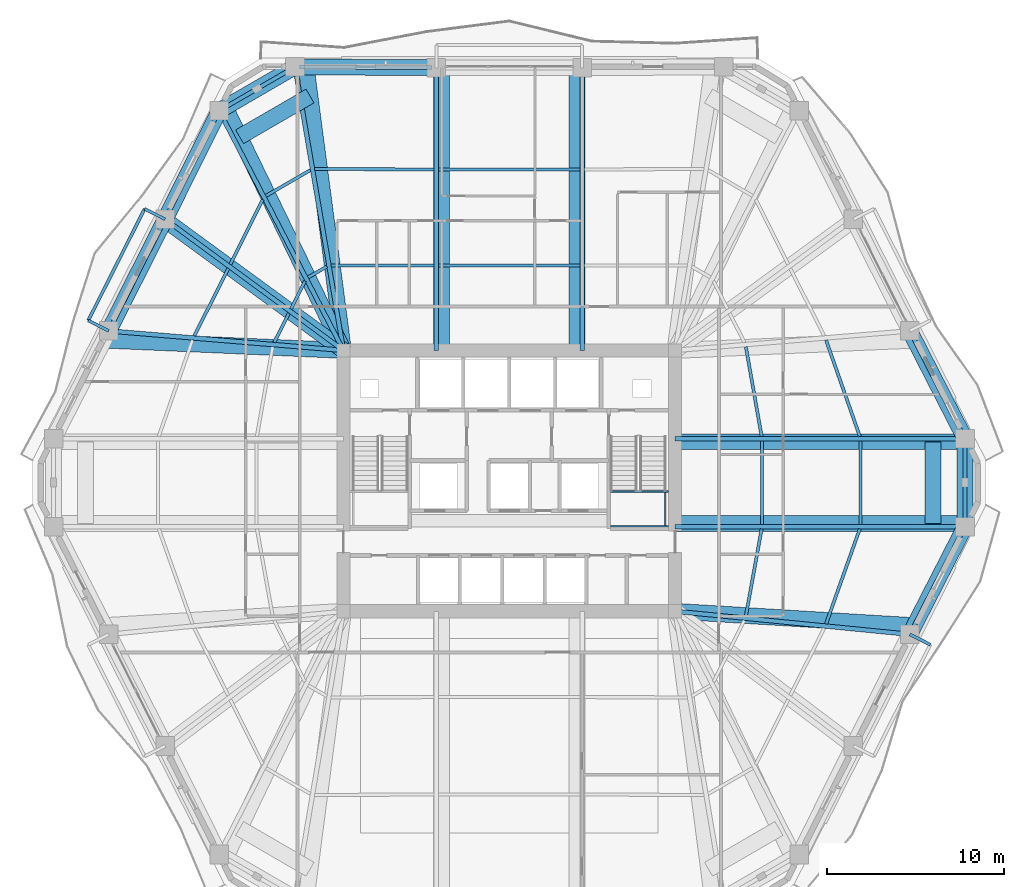
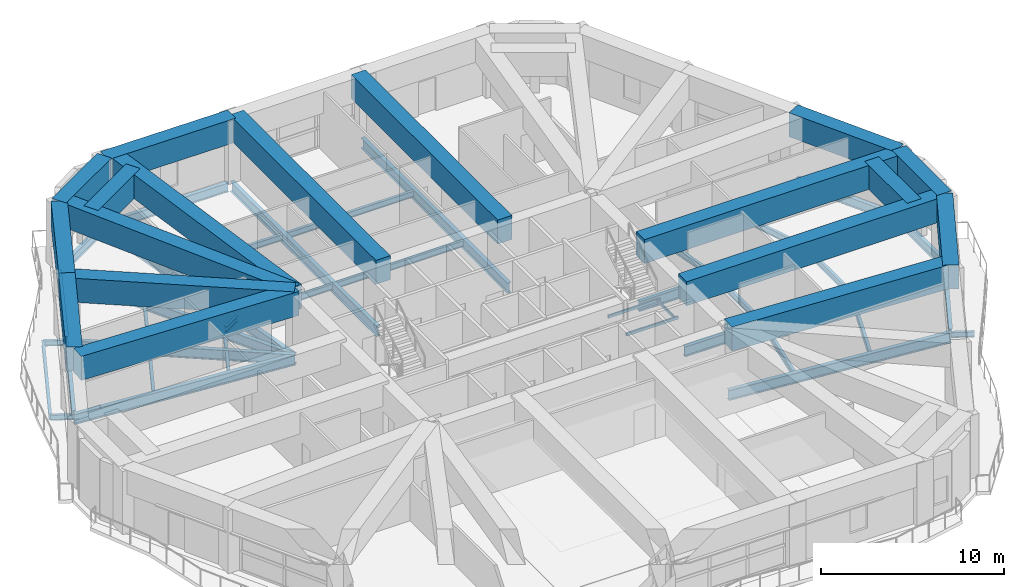
# One storey, part 7 of 23: 57 beams.
"""IFC4 building model written with IfcOpenShell, lengths in metres."""

from ifc_helpers import new_model, si_unit, direction, frame, origin, origin_2d, place, context, subcontext, project, spatial, rectangle, hollow_rectangle, i_section, extrude, material, material_profile, profile_set, type_object, element, save


model = new_model("IFC4")

# Units and contexts
model_context = context("Model", 3, precision=1e-05, world=origin(), true_north=direction((0.0, 1.0)))
body_context = subcontext(model_context, "Body", "Model", "MODEL_VIEW")
ifc_project = project(units=[si_unit("LENGTHUNIT", "METRE"), si_unit("AREAUNIT", "SQUARE_METRE"), si_unit("VOLUMEUNIT", "CUBIC_METRE"), si_unit("PLANEANGLEUNIT", "RADIAN"), si_unit("MASSUNIT", "GRAM", prefix="KILO")], contexts=[model_context])

# Site, building, storey
site_placement = place(None, origin())
site = spatial("IfcSite", under=ifc_project, at=site_placement, CompositionType="ELEMENT")
building_placement = place(site_placement, origin())
building = spatial("IfcBuilding", under=site, at=building_placement, Name="Cinnabar Lancet Tower", CompositionType="ELEMENT")
storey_placement = place(building_placement, frame((0.0, 0.0, 94.199951171875)))
storey = spatial("IfcBuildingStorey", under=building, at=storey_placement, Name="L24", CompositionType="ELEMENT", Elevation=94.199951171875)

# Beams
ifc_material_1 = material(Name="Concrete C70/85", Category="concrete")
ifc_material_profile_1 = material_profile(ifc_material_1, rectangle(XDim=0.89990234375, YDim=1.60009765625, at=origin_2d()), Name="RC-BG 900x1600")
ifc_profile_set_1 = profile_set([ifc_material_profile_1], Name="Concrete C70/85")
beam_type_1 = type_object("IfcBeamType", Name="STR-BM-BG-1600", PredefinedType="BEAM", material=ifc_profile_set_1)
beam_1_placement = place(storey_placement, frame((55.0458984375, 17.219970703125, 3.400146484375), z_axis=(0.455963359839, 0.889998547462, 0.0), x_axis=(-0.889998547462, 0.455963359839, 0.0)))
element("IfcBeam", 1, at=beam_1_placement, inside=storey, type_object=beam_type_1, Name="L25 Setback Outer Ring Girder 7", PredefinedType="BEAM", context=body_context, shape_type="SweptSolid", body=[
    extrude(rectangle(XDim=0.89990234375, YDim=1.60009765625, at=origin_2d()), origin(), (0.0, 0.0, 1.0), 6.84716796875),
])
beam_2_placement = place(storey_placement, frame((58.16796875, 23.31396484375, 3.400146484375), z_axis=(0.0, 1.0, 0.0), x_axis=(-1.0, 0.0, 0.0)))
element("IfcBeam", 2, at=beam_2_placement, inside=storey, type_object=beam_type_1, Name="L25 Setback Outer Ring Girder 8", PredefinedType="BEAM", context=body_context, shape_type="SweptSolid", body=[
    extrude(rectangle(XDim=0.89990234375, YDim=1.60009765625, at=origin_2d()), origin(), (0.0, 0.0, 1.0), 4.971923828125),
])
beam_3_placement = place(storey_placement, frame((58.16796875, 28.285888671875, 3.400146484375), z_axis=(-0.455963359839, 0.889998547462, 0.0), x_axis=(-0.889998547462, -0.455963359839, 0.0)))
element("IfcBeam", 3, at=beam_3_placement, inside=storey, type_object=beam_type_1, Name="L25 Setback Outer Ring Girder 9", PredefinedType="BEAM", context=body_context, shape_type="SweptSolid", body=[
    extrude(rectangle(XDim=0.89990234375, YDim=1.60009765625, at=origin_2d()), origin(), (0.0, 0.0, 1.0), 6.84716796875),
])
beam_4_placement = place(storey_placement, frame((28.278076171875, 49.258056640625, 3.400146484375), z_axis=(-0.999978046407, 0.006626213389, 0.0), x_axis=(-0.006626213389, -0.999978046407, 0.0)))
element("IfcBeam", 4, at=beam_4_placement, inside=storey, type_object=beam_type_1, Name="L25 Setback Outer Ring Girder 15", PredefinedType="BEAM", context=body_context, shape_type="SweptSolid", body=[
    extrude(rectangle(XDim=0.89990234375, YDim=1.60009765625, at=origin_2d()), origin(), (0.0, 0.0, 1.0), 7.995361328125),
])
beam_5_placement = place(storey_placement, frame((20.282958984375, 49.31103515625, 3.400146484375), z_axis=(-0.865178737992, -0.501463609175, 0.0), x_axis=(0.501463609175, -0.865178737992, 0.0)))
element("IfcBeam", 5, at=beam_5_placement, inside=storey, type_object=beam_type_1, Name="L25 Setback Outer Ring Girder 16", PredefinedType="BEAM", context=body_context, shape_type="SweptSolid", body=[
    extrude(rectangle(XDim=0.89990234375, YDim=1.60009765625, at=origin_2d()), origin(), (0.0, 0.0, 1.0), 4.953857421875),
])
beam_6_placement = place(storey_placement, frame((15.9970703125, 46.826904296875, 3.400146484375), z_axis=(-0.445831191634, -0.895117058583, 0.0), x_axis=(0.895117058583, -0.445831191634, 0.0)))
element("IfcBeam", 6, at=beam_6_placement, inside=storey, type_object=beam_type_1, Name="L25 Setback Outer Ring Girder 17", PredefinedType="BEAM", context=body_context, shape_type="SweptSolid", body=[
    extrude(rectangle(XDim=0.89990234375, YDim=1.60009765625, at=origin_2d()), origin(), (0.0, 0.0, 1.0), 6.85498046875),
])
beam_7_placement = place(storey_placement, frame((12.94091796875, 40.69091796875, 3.400146484375), z_axis=(-0.450773692627, -0.892638268301, 0.0), x_axis=(0.892638268301, -0.450773692627, 0.0)))
element("IfcBeam", 7, at=beam_7_placement, inside=storey, type_object=beam_type_1, Name="L25 Setback Outer Ring Girder 18", PredefinedType="BEAM", context=body_context, shape_type="SweptSolid", body=[
    extrude(rectangle(XDim=0.89990234375, YDim=1.60009765625, at=origin_2d()), origin(), (0.0, 0.0, 1.0), 7.070068359375),
])
beam_8_placement = place(storey_placement, frame((55.14404296875, 17.721923828125, 3.400146484375), z_axis=(-0.998201138249, 0.059954045721, 0.0), x_axis=(-0.059954045721, -0.998201138249, 0.0)))
element("IfcBeam", 8, at=beam_8_placement, inside=storey, type_object=beam_type_1, Name="L25 Setback Continuous Radial Transfer Girder 7", PredefinedType="BEAM", context=body_context, shape_type="SweptSolid", body=[
    extrude(rectangle(XDim=0.89990234375, YDim=1.60009765625, at=origin_2d()), origin(), (0.0, 0.0, 1.0), 13.393310546875),
])
for number, where, z_axis, x_axis, name in (
    (9, (58.049072265625, 23.490966796875, 3.400146484375), (-1.0, 0.0, 0.0), (0.0, -1.0, 0.0), "L25 Setback Continuous Radial Transfer Girder 8"),
    (10, (58.049072265625, 28.10888671875, 3.400146484375), (-1.0, 0.0, 0.0), (0.0, -1.0, 0.0), "L25 Setback Continuous Radial Transfer Girder 9"),
):
    element("IfcBeam", number, at=place(storey_placement, frame(where, z_axis=z_axis, x_axis=x_axis)), inside=storey, type_object=beam_type_1, Name=name, PredefinedType="BEAM", context=body_context, shape_type="SweptSolid", body=[
        extrude(rectangle(XDim=0.89990234375, YDim=1.60009765625, at=origin_2d()), origin(), (0.0, 0.0, 1.0), 16.274169921875),
    ])
for number, where, z_axis, x_axis, name in (
    (11, (36.23193359375, 49.258056640625, 3.400146484375), (0.0, -1.0, 0.0), (1.0, 0.0, 0.0), "L25 Setback Continuous Radial Transfer Girder 14"),
    (12, (28.568115234375, 49.258056640625, 3.400146484375), (0.0, -1.0, 0.0), (1.0, 0.0, 0.0), "L25 Setback Continuous Radial Transfer Girder 15"),
):
    element("IfcBeam", number, at=place(storey_placement, frame(where, z_axis=z_axis, x_axis=x_axis)), inside=storey, type_object=beam_type_1, Name=name, PredefinedType="BEAM", context=body_context, shape_type="SweptSolid", body=[
        extrude(rectangle(XDim=0.89990234375, YDim=1.60009765625, at=origin_2d()), origin(), (0.0, 0.0, 1.0), 15.983154296875),
    ])
beam_9_placement = place(storey_placement, frame((20.916015625, 49.291015625, 3.400146484375), z_axis=(0.130545992405, -0.991442254429, 0.0), x_axis=(0.991442254429, 0.130545992405, 0.0)))
element("IfcBeam", 13, at=beam_9_placement, inside=storey, type_object=beam_type_1, Name="L25 Setback Continuous Radial Transfer Girder 16", PredefinedType="BEAM", context=body_context, shape_type="SweptSolid", body=[
    extrude(rectangle(XDim=0.89990234375, YDim=1.60009765625, at=origin_2d()), origin(), (0.0, 0.0, 1.0), 16.154296875),
])
beam_10_placement = place(storey_placement, frame((16.412109375, 46.873046875, 3.400146484375), z_axis=(0.437330919042, -0.899300654537, 0.0), x_axis=(0.899300654537, 0.437330919042, 0.0)))
element("IfcBeam", 14, at=beam_10_placement, inside=storey, type_object=beam_type_1, Name="L25 Setback Continuous Radial Transfer Girder 17", PredefinedType="BEAM", context=body_context, shape_type="SweptSolid", body=[
    extrude(rectangle(XDim=0.89990234375, YDim=1.60009765625, at=origin_2d()), origin(), (0.0, 0.0, 1.0), 15.120849609375),
])
beam_11_placement = place(storey_placement, frame((12.943115234375, 40.64501953125, 3.400146484375), z_axis=(0.807289744124, -0.590155292302, 0.0), x_axis=(0.590155292302, 0.807289744124, 0.0)))
element("IfcBeam", 15, at=beam_11_placement, inside=storey, type_object=beam_type_1, Name="L25 Setback Continuous Radial Transfer Girder 18", PredefinedType="BEAM", context=body_context, shape_type="SweptSolid", body=[
    extrude(rectangle(XDim=0.89990234375, YDim=1.60009765625, at=origin_2d()), origin(), (0.0, 0.0, 1.0), 12.488525390625),
])
beam_12_placement = place(storey_placement, frame((9.655029296875, 33.84912109375, 3.400146484375), z_axis=(0.999078978302, -0.042909149553, 0.0), x_axis=(0.042909149553, 0.999078978302, 0.0)))
element("IfcBeam", 16, at=beam_12_placement, inside=storey, type_object=beam_type_1, Name="L25 Setback Continuous Radial Transfer Girder 19", PredefinedType="BEAM", context=body_context, shape_type="SweptSolid", body=[
    extrude(rectangle(XDim=0.89990234375, YDim=1.60009765625, at=origin_2d()), origin(), (0.0, 0.0, 1.0), 13.382080078125),
])
beam_13_placement = place(storey_placement, frame((56.35693359375, 23.490966796875, 3.400146484375), z_axis=(0.0, 1.0, 0.0), x_axis=(-1.0, 0.0, 0.0)))
element("IfcBeam", 17, at=beam_13_placement, inside=storey, type_object=beam_type_1, Name="L25 Setback Pilaster Transfer Chord 3", PredefinedType="BEAM", context=body_context, shape_type="SweptSolid", body=[
    extrude(rectangle(XDim=0.89990234375, YDim=1.60009765625, at=origin_2d()), origin(), (0.0, 0.0, 1.0), 4.617919921875),
])
beam_14_placement = place(storey_placement, frame((21.131103515625, 47.660888671875, 3.400146484375), z_axis=(-0.865186384258, -0.501450416786, 0.0), x_axis=(0.501450416786, -0.865186384258, 0.0)))
element("IfcBeam", 18, at=beam_14_placement, inside=storey, type_object=beam_type_1, Name="L25 Setback Pilaster Transfer Chord 5", PredefinedType="BEAM", context=body_context, shape_type="SweptSolid", body=[
    extrude(rectangle(XDim=0.89990234375, YDim=1.60009765625, at=origin_2d()), origin(), (0.0, 0.0, 1.0), 4.600341796875),
])
ifc_material_2 = material(Name="Structural steel S355", Category="steel")
ifc_material_profile_2 = material_profile(ifc_material_2, i_section(OverallWidth=0.177978515625, OverallDepth=0.406494140625, WebThickness=0.0078125, FlangeThickness=0.0126953125, FilletRadius=0.01025390625, at=origin_2d()), Name="UKB 406x178x60")
ifc_profile_set_2 = profile_set([ifc_material_profile_2], Name="Structural steel S355")
beam_type_2 = type_object("IfcBeamType", Name="STR-BM-JST-406", PredefinedType="JOIST", material=ifc_profile_set_2)
beam_15_placement = place(storey_placement, frame((50.31201171875, 17.81298828125, -0.4228515625), z_axis=(0.334725039774, 0.942315842883, 0.0), x_axis=(-0.942315842883, 0.334725039774, 0.0)))
element("IfcBeam", 19, at=beam_15_placement, inside=storey, type_object=beam_type_2, Name="L24 Secondary Floor Joist 21", PredefinedType="JOIST", context=body_context, shape_type="SweptSolid", body=[
    extrude(i_section(OverallWidth=0.177978515625, OverallDepth=0.406494140625, WebThickness=0.0078125, FlangeThickness=0.0126953125, FilletRadius=0.01025390625, at=origin_2d()), origin(), (0.0, 0.0, 1.0), 5.702880859375),
])
beam_16_placement = place(storey_placement, frame((45.779052734375, 18.259033203125, -0.4228515625), z_axis=(0.177894326387, 0.984049596636, 0.0), x_axis=(-0.984049596636, 0.177894326387, 0.0)))
element("IfcBeam", 20, at=beam_16_placement, inside=storey, type_object=beam_type_2, Name="L24 Secondary Floor Joist 22", PredefinedType="JOIST", context=body_context, shape_type="SweptSolid", body=[
    extrude(i_section(OverallWidth=0.177978515625, OverallDepth=0.406494140625, WebThickness=0.0078125, FlangeThickness=0.0126953125, FilletRadius=0.01025390625, at=origin_2d()), origin(), (0.0, 0.0, 1.0), 5.0078125),
])
for number, where, z_axis, x_axis, name in (
    (21, (52.26708984375, 23.44091796875, -0.4228515625), (0.0, 1.0, 0.0), (-1.0, 0.0, 0.0), "L24 Secondary Floor Joist 23"),
    (22, (46.693115234375, 23.44091796875, -0.4228515625), (0.0, 1.0, 0.0), (-1.0, 0.0, 0.0), "L24 Secondary Floor Joist 24"),
):
    element("IfcBeam", number, at=place(storey_placement, frame(where, z_axis=z_axis, x_axis=x_axis)), inside=storey, type_object=beam_type_2, Name=name, PredefinedType="JOIST", context=body_context, shape_type="SweptSolid", body=[
        extrude(i_section(OverallWidth=0.177978515625, OverallDepth=0.406494140625, WebThickness=0.0078125, FlangeThickness=0.0126953125, FilletRadius=0.01025390625, at=origin_2d()), origin(), (0.0, 0.0, 1.0), 4.718017578125),
    ])
beam_17_placement = place(storey_placement, frame((52.221923828125, 28.4130859375, -0.4228515625), z_axis=(-0.330949596087, 0.943648432866, 0.0), x_axis=(-0.943648432866, -0.330949596087, 0.0)))
element("IfcBeam", 23, at=beam_17_placement, inside=storey, type_object=beam_type_2, Name="L24 Secondary Floor Joist 25", PredefinedType="JOIST", context=body_context, shape_type="SweptSolid", body=[
    extrude(i_section(OverallWidth=0.177978515625, OverallDepth=0.406494140625, WebThickness=0.0078125, FlangeThickness=0.0126953125, FilletRadius=0.01025390625, at=origin_2d()), origin(), (0.0, 0.0, 1.0), 5.77099609375),
])
beam_18_placement = place(storey_placement, frame((46.6708984375, 28.4130859375, -0.4228515625), z_axis=(-0.173501142861, 0.984833667898, 0.0), x_axis=(-0.984833667898, -0.173501142861, 0.0)))
element("IfcBeam", 24, at=beam_18_placement, inside=storey, type_object=beam_type_2, Name="L24 Secondary Floor Joist 26", PredefinedType="JOIST", context=body_context, shape_type="SweptSolid", body=[
    extrude(i_section(OverallWidth=0.177978515625, OverallDepth=0.406494140625, WebThickness=0.0078125, FlangeThickness=0.0126953125, FilletRadius=0.01025390625, at=origin_2d()), origin(), (0.0, 0.0, 1.0), 5.14599609375),
])
for number, where, z_axis, x_axis, name in (
    (25, (36.39501953125, 43.50390625, -0.4228515625), (-1.0, 0.0, 0.0), (0.0, -1.0, 0.0), "L24 Secondary Floor Joist 35"),
    (26, (36.39501953125, 38.070068359375, -0.4228515625), (-1.0, 0.0, 0.0), (0.0, -1.0, 0.0), "L24 Secondary Floor Joist 36"),
):
    element("IfcBeam", number, at=place(storey_placement, frame(where, z_axis=z_axis, x_axis=x_axis)), inside=storey, type_object=beam_type_2, Name=name, PredefinedType="JOIST", context=body_context, shape_type="SweptSolid", body=[
        extrude(i_section(OverallWidth=0.177978515625, OverallDepth=0.406494140625, WebThickness=0.0078125, FlangeThickness=0.0126953125, FilletRadius=0.01025390625, at=origin_2d()), origin(), (0.0, 0.0, 1.0), 7.989990234375),
    ])
beam_19_placement = place(storey_placement, frame((28.15087890625, 43.5048828125, -0.4228515625), z_axis=(-0.99998860979, 0.004772870136, 0.0), x_axis=(-0.004772870136, -0.99998860979, 0.0)))
element("IfcBeam", 27, at=beam_19_placement, inside=storey, type_object=beam_type_2, Name="L24 Secondary Floor Joist 37", PredefinedType="JOIST", context=body_context, shape_type="SweptSolid", body=[
    extrude(i_section(OverallWidth=0.177978515625, OverallDepth=0.406494140625, WebThickness=0.0078125, FlangeThickness=0.0126953125, FilletRadius=0.01025390625, at=origin_2d()), origin(), (0.0, 0.0, 1.0), 6.751953125),
])
beam_20_placement = place(storey_placement, frame((28.15087890625, 38.070068359375, -0.4228515625), z_axis=(-0.99999672593, 0.00255893113, 0.0), x_axis=(-0.00255893113, -0.99999672593, 0.0)))
element("IfcBeam", 28, at=beam_20_placement, inside=storey, type_object=beam_type_2, Name="L24 Secondary Floor Joist 38", PredefinedType="JOIST", context=body_context, shape_type="SweptSolid", body=[
    extrude(i_section(OverallWidth=0.177978515625, OverallDepth=0.406494140625, WebThickness=0.0078125, FlangeThickness=0.0126953125, FilletRadius=0.01025390625, at=origin_2d()), origin(), (0.0, 0.0, 1.0), 5.81982421875),
])
beam_21_placement = place(storey_placement, frame((21.153076171875, 43.469970703125, -0.4228515625), z_axis=(-0.865230791262, -0.501373790551, 0.0), x_axis=(0.501373790551, -0.865230791262, 0.0)))
element("IfcBeam", 29, at=beam_21_placement, inside=storey, type_object=beam_type_2, Name="L24 Secondary Floor Joist 39", PredefinedType="JOIST", context=body_context, shape_type="SweptSolid", body=[
    extrude(i_section(OverallWidth=0.177978515625, OverallDepth=0.406494140625, WebThickness=0.0078125, FlangeThickness=0.0126953125, FilletRadius=0.01025390625, at=origin_2d()), origin(), (0.0, 0.0, 1.0), 2.907958984375),
])
beam_22_placement = place(storey_placement, frame((22.0849609375, 38.01806640625, -0.4228515625), z_axis=(-0.865121189797, -0.501562884357, 0.0), x_axis=(0.501562884357, -0.865121189797, 0.0)))
element("IfcBeam", 30, at=beam_22_placement, inside=storey, type_object=beam_type_2, Name="L24 Secondary Floor Joist 40", PredefinedType="JOIST", context=body_context, shape_type="SweptSolid", body=[
    extrude(i_section(OverallWidth=0.177978515625, OverallDepth=0.406494140625, WebThickness=0.0078125, FlangeThickness=0.0126953125, FilletRadius=0.01025390625, at=origin_2d()), origin(), (0.0, 0.0, 1.0), 1.22412109375),
])
beam_23_placement = place(storey_placement, frame((18.45703125, 41.80810546875, -0.4228515625), z_axis=(-0.445665476617, -0.895199577163, 0.0), x_axis=(0.895199577163, -0.445665476617, 0.0)))
element("IfcBeam", 31, at=beam_23_placement, inside=storey, type_object=beam_type_2, Name="L24 Secondary Floor Joist 41", PredefinedType="JOIST", context=body_context, shape_type="SweptSolid", body=[
    extrude(i_section(OverallWidth=0.177978515625, OverallDepth=0.406494140625, WebThickness=0.0078125, FlangeThickness=0.0126953125, FilletRadius=0.01025390625, at=origin_2d()), origin(), (0.0, 0.0, 1.0), 4.10205078125),
])
beam_24_placement = place(storey_placement, frame((20.846923828125, 37.199951171875, -0.4228515625), z_axis=(-0.446110386834, -0.894977945404, 0.0), x_axis=(0.894977945404, -0.446110386834, 0.0)))
element("IfcBeam", 32, at=beam_24_placement, inside=storey, type_object=beam_type_2, Name="L24 Secondary Floor Joist 42", PredefinedType="JOIST", context=body_context, shape_type="SweptSolid", body=[
    extrude(i_section(OverallWidth=0.177978515625, OverallDepth=0.406494140625, WebThickness=0.0078125, FlangeThickness=0.0126953125, FilletRadius=0.01025390625, at=origin_2d()), origin(), (0.0, 0.0, 1.0), 1.77099609375),
])
beam_25_placement = place(storey_placement, frame((16.512939453125, 37.906005859375, -0.4228515625), z_axis=(-0.450763900798, -0.892643213012, 0.0), x_axis=(0.892643213012, -0.450763900798, 0.0)))
element("IfcBeam", 33, at=beam_25_placement, inside=storey, type_object=beam_type_2, Name="L24 Secondary Floor Joist 43", PredefinedType="JOIST", context=body_context, shape_type="SweptSolid", body=[
    extrude(i_section(OverallWidth=0.177978515625, OverallDepth=0.406494140625, WebThickness=0.0078125, FlangeThickness=0.0126953125, FilletRadius=0.01025390625, at=origin_2d()), origin(), (0.0, 0.0, 1.0), 4.25927734375),
])
beam_26_placement = place(storey_placement, frame((19.94189453125, 35.385009765625, -0.4228515625), z_axis=(-0.451051565643, -0.892497890827, 0.0), x_axis=(0.892497890827, -0.451051565643, 0.0)))
element("IfcBeam", 34, at=beam_26_placement, inside=storey, type_object=beam_type_2, Name="L24 Secondary Floor Joist 44", PredefinedType="JOIST", context=body_context, shape_type="SweptSolid", body=[
    extrude(i_section(OverallWidth=0.177978515625, OverallDepth=0.406494140625, WebThickness=0.0078125, FlangeThickness=0.0126953125, FilletRadius=0.01025390625, at=origin_2d()), origin(), (0.0, 0.0, 1.0), 1.85546875),
])
ifc_material_3 = material(Name="Structural steel S355", Category="steel")
ifc_material_profile_3 = material_profile(ifc_material_3, hollow_rectangle(XDim=0.10009765625, YDim=0.199951171875, WallThickness=0.008056640625, InnerFilletRadius=0.00390625, OuterFilletRadius=0.011962890625, at=origin_2d()), Name="RHS 200x100x8")
ifc_profile_set_3 = profile_set([ifc_material_profile_3], Name="Structural steel S355")
beam_type_3 = type_object("IfcBeamType", Name="STR-BM-LND-203", PredefinedType="BEAM", material=ifc_profile_set_3)
for number, where, z_axis, x_axis, name in (
    (35, (38.1201171875, 23.330078125, 1.800048828125), (1.0, 0.0, 0.0), (0.0, 1.0, 0.0), "L24 ST-2-L24 Landing Support Beam S"),
    (36, (38.1201171875, 25.294921875, 1.800048828125), (1.0, 0.0, 0.0), (0.0, 1.0, 0.0), "L24 ST-2-L24 Landing Support Beam N"),
):
    element("IfcBeam", number, at=place(storey_placement, frame(where, z_axis=z_axis, x_axis=x_axis)), inside=storey, type_object=beam_type_3, Name=name, PredefinedType="BEAM", context=body_context, shape_type="SweptSolid", body=[
        extrude(hollow_rectangle(XDim=0.10009765625, YDim=0.199951171875, WallThickness=0.008056640625, InnerFilletRadius=0.00390625, OuterFilletRadius=0.011962890625, at=origin_2d()), origin(), (0.0, 0.0, 1.0), 3.27978515625),
    ])
beam_27_placement = place(storey_placement, frame((41.219970703125, 23.3798828125, 1.800048828125), z_axis=(0.0, 1.0, 0.0), x_axis=(-1.0, 0.0, 0.0)))
element("IfcBeam", 37, at=beam_27_placement, inside=storey, type_object=beam_type_3, Name="L24 ST-2-L24 Landing Side Trimmer Beam", PredefinedType="BEAM", context=body_context, shape_type="SweptSolid", body=[
    extrude(hollow_rectangle(XDim=0.10009765625, YDim=0.199951171875, WallThickness=0.008056640625, InnerFilletRadius=0.00390625, OuterFilletRadius=0.011962890625, at=origin_2d()), origin(), (0.0, 0.0, 1.0), 1.865234375),
])
ifc_material_4 = material(Name="Structural steel S355", Category="steel")
ifc_material_profile_4 = material_profile(ifc_material_4, i_section(OverallWidth=0.228271484375, OverallDepth=0.607666015625, WebThickness=0.010986328125, FlangeThickness=0.017333984375, FilletRadius=0.0126953125, at=origin_2d()), Name="UKB 610x229x113")
ifc_profile_set_4 = profile_set([ifc_material_profile_4], Name="Structural steel S355")
beam_type_4 = type_object("IfcBeamType", Name="STR-BM-SPN-610", PredefinedType="SPANDREL", material=ifc_profile_set_4)
beam_28_placement = place(storey_placement, frame((55.159912109375, 17.443115234375, -0.52392578125), z_axis=(0.456024522632, 0.889967209934, 0.0), x_axis=(-0.889967209934, 0.456024522632, 0.0)))
element("IfcBeam", 38, at=beam_28_placement, inside=storey, type_object=beam_type_4, Name="L24 Perimeter Spandrel 7", PredefinedType="SPANDREL", context=body_context, shape_type="SweptSolid", body=[
    extrude(i_section(OverallWidth=0.228271484375, OverallDepth=0.607666015625, WebThickness=0.010986328125, FlangeThickness=0.017333984375, FilletRadius=0.0126953125, at=origin_2d()), origin(), (0.0, 0.0, 1.0), 6.34619140625),
])
beam_29_placement = place(storey_placement, frame((58.16796875, 23.56396484375, -0.52392578125), z_axis=(0.0, 1.0, 0.0), x_axis=(-1.0, 0.0, 0.0)))
element("IfcBeam", 39, at=beam_29_placement, inside=storey, type_object=beam_type_4, Name="L24 Perimeter Spandrel 8", PredefinedType="SPANDREL", context=body_context, shape_type="SweptSolid", body=[
    extrude(i_section(OverallWidth=0.228271484375, OverallDepth=0.607666015625, WebThickness=0.010986328125, FlangeThickness=0.017333984375, FilletRadius=0.0126953125, at=origin_2d()), origin(), (0.0, 0.0, 1.0), 4.471923828125),
])
beam_30_placement = place(storey_placement, frame((58.053955078125, 28.509033203125, -0.52392578125), z_axis=(-0.456024522632, 0.889967209934, 0.0), x_axis=(-0.889967209934, -0.456024522632, 0.0)))
element("IfcBeam", 40, at=beam_30_placement, inside=storey, type_object=beam_type_4, Name="L24 Perimeter Spandrel 9", PredefinedType="SPANDREL", context=body_context, shape_type="SweptSolid", body=[
    extrude(i_section(OverallWidth=0.228271484375, OverallDepth=0.607666015625, WebThickness=0.010986328125, FlangeThickness=0.017333984375, FilletRadius=0.0126953125, at=origin_2d()), origin(), (0.0, 0.0, 1.0), 6.34619140625),
])
beam_31_placement = place(storey_placement, frame((28.028076171875, 49.260009765625, -0.52392578125), z_axis=(-0.99997856757, 0.006547090947, 0.0), x_axis=(-0.006547090947, -0.99997856757, 0.0)))
element("IfcBeam", 41, at=beam_31_placement, inside=storey, type_object=beam_type_4, Name="L24 Perimeter Spandrel 15", PredefinedType="SPANDREL", context=body_context, shape_type="SweptSolid", body=[
    extrude(i_section(OverallWidth=0.228271484375, OverallDepth=0.607666015625, WebThickness=0.010986328125, FlangeThickness=0.017333984375, FilletRadius=0.0126953125, at=origin_2d()), origin(), (0.0, 0.0, 1.0), 7.495361328125),
])
beam_32_placement = place(storey_placement, frame((20.06689453125, 49.18603515625, -0.52392578125), z_axis=(-0.865147238596, -0.501517951374, 0.0), x_axis=(0.501517951374, -0.865147238596, 0.0)))
element("IfcBeam", 42, at=beam_32_placement, inside=storey, type_object=beam_type_4, Name="L24 Perimeter Spandrel 16", PredefinedType="SPANDREL", context=body_context, shape_type="SweptSolid", body=[
    extrude(i_section(OverallWidth=0.228271484375, OverallDepth=0.607666015625, WebThickness=0.010986328125, FlangeThickness=0.017333984375, FilletRadius=0.0126953125, at=origin_2d()), origin(), (0.0, 0.0, 1.0), 4.454833984375),
])
beam_33_placement = place(storey_placement, frame((15.885986328125, 46.60302734375, -0.52392578125), z_axis=(-0.445953050023, -0.89505635419, 0.0), x_axis=(0.89505635419, -0.445953050023, 0.0)))
element("IfcBeam", 43, at=beam_33_placement, inside=storey, type_object=beam_type_4, Name="L24 Perimeter Spandrel 17", PredefinedType="SPANDREL", context=body_context, shape_type="SweptSolid", body=[
    extrude(i_section(OverallWidth=0.228271484375, OverallDepth=0.607666015625, WebThickness=0.010986328125, FlangeThickness=0.017333984375, FilletRadius=0.0126953125, at=origin_2d()), origin(), (0.0, 0.0, 1.0), 6.35498046875),
])
beam_34_placement = place(storey_placement, frame((12.827880859375, 40.468017578125, -0.52392578125), z_axis=(-0.450673532306, -0.892688841242, 0.0), x_axis=(0.892688841242, -0.450673532306, 0.0)))
element("IfcBeam", 44, at=beam_34_placement, inside=storey, type_object=beam_type_4, Name="L24 Perimeter Spandrel 18", PredefinedType="SPANDREL", context=body_context, shape_type="SweptSolid", body=[
    extrude(i_section(OverallWidth=0.228271484375, OverallDepth=0.607666015625, WebThickness=0.010986328125, FlangeThickness=0.017333984375, FilletRadius=0.0126953125, at=origin_2d()), origin(), (0.0, 0.0, 1.0), 6.570068359375),
])
ifc_material_5 = material(Name="Structural steel S355", Category="steel")
ifc_material_profile_5 = material_profile(ifc_material_5, i_section(OverallWidth=0.253662109375, OverallDepth=0.68359375, WebThickness=0.012451171875, FlangeThickness=0.01904296875, FilletRadius=0.01513671875, at=origin_2d()), Name="UKB 686x254x140")
ifc_profile_set_5 = profile_set([ifc_material_profile_5], Name="Structural steel S355")
beam_type_5 = type_object("IfcBeamType", Name="STR-BM-UKB686-140", PredefinedType="BEAM", material=ifc_profile_set_5)
beam_35_placement = place(storey_placement, frame((12.94091796875, 40.69091796875, -0.56201171875), z_axis=(0.805600633978, -0.592458959367, 0.0), x_axis=(0.592458959367, 0.805600633978, 0.0)))
element("IfcBeam", 45, at=beam_35_placement, inside=storey, type_object=beam_type_5, Name="L24 Corner Collector Girder 4", PredefinedType="BEAM", context=body_context, shape_type="SweptSolid", body=[
    extrude(i_section(OverallWidth=0.253662109375, OverallDepth=0.68359375, WebThickness=0.012451171875, FlangeThickness=0.01904296875, FilletRadius=0.01513671875, at=origin_2d()), origin(), (0.0, 0.0, 1.0), 12.517333984375),
])
beam_36_placement = place(storey_placement, frame((55.0458984375, 17.219970703125, -0.56201171875), z_axis=(-0.995200421983, 0.097857652149, 0.0), x_axis=(-0.097857652149, -0.995200421983, 0.0)))
element("IfcBeam", 46, at=beam_36_placement, inside=storey, type_object=beam_type_5, Name="L24 Primary Floor Girder 7", PredefinedType="BEAM", context=body_context, shape_type="SweptSolid", body=[
    extrude(i_section(OverallWidth=0.253662109375, OverallDepth=0.68359375, WebThickness=0.012451171875, FlangeThickness=0.01904296875, FilletRadius=0.01513671875, at=origin_2d()), origin(), (0.0, 0.0, 1.0), 13.3349609375),
])
for number, where, z_axis, x_axis, name in (
    (47, (58.16796875, 23.31396484375, -0.56201171875), (-1.0, 0.0, 0.0), (0.0, -1.0, 0.0), "L24 Primary Floor Girder 8"),
    (48, (58.16796875, 28.285888671875, -0.56201171875), (-1.0, 0.0, 0.0), (0.0, -1.0, 0.0), "L24 Primary Floor Girder 9"),
):
    element("IfcBeam", number, at=place(storey_placement, frame(where, z_axis=z_axis, x_axis=x_axis)), inside=storey, type_object=beam_type_5, Name=name, PredefinedType="BEAM", context=body_context, shape_type="SweptSolid", body=[
        extrude(i_section(OverallWidth=0.253662109375, OverallDepth=0.68359375, WebThickness=0.012451171875, FlangeThickness=0.01904296875, FilletRadius=0.01513671875, at=origin_2d()), origin(), (0.0, 0.0, 1.0), 16.39306640625),
    ])
for number, where, z_axis, x_axis, name in (
    (49, (36.52197265625, 49.258056640625, -0.56201171875), (0.0, -1.0, 0.0), (1.0, 0.0, 0.0), "L24 Primary Floor Girder 14"),
    (50, (28.278076171875, 49.258056640625, -0.56201171875), (0.0, -1.0, 0.0), (1.0, 0.0, 0.0), "L24 Primary Floor Girder 15"),
):
    element("IfcBeam", number, at=place(storey_placement, frame(where, z_axis=z_axis, x_axis=x_axis)), inside=storey, type_object=beam_type_5, Name=name, PredefinedType="BEAM", context=body_context, shape_type="SweptSolid", body=[
        extrude(i_section(OverallWidth=0.253662109375, OverallDepth=0.68359375, WebThickness=0.012451171875, FlangeThickness=0.01904296875, FilletRadius=0.01513671875, at=origin_2d()), origin(), (0.0, 0.0, 1.0), 15.983154296875),
    ])
beam_37_placement = place(storey_placement, frame((20.282958984375, 49.31103515625, -0.56201171875), z_axis=(0.16853936554, -0.985694923525, 0.0), x_axis=(0.985694923525, 0.16853936554, 0.0)))
element("IfcBeam", 51, at=beam_37_placement, inside=storey, type_object=beam_type_5, Name="L24 Primary Floor Girder 16", PredefinedType="BEAM", context=body_context, shape_type="SweptSolid", body=[
    extrude(i_section(OverallWidth=0.253662109375, OverallDepth=0.68359375, WebThickness=0.012451171875, FlangeThickness=0.01904296875, FilletRadius=0.01513671875, at=origin_2d()), origin(), (0.0, 0.0, 1.0), 16.268798828125),
])
beam_38_placement = place(storey_placement, frame((15.9970703125, 46.826904296875, -0.56201171875), z_axis=(0.460361977629, -0.887731293553, 0.0), x_axis=(0.887731293553, 0.460361977629, 0.0)))
element("IfcBeam", 52, at=beam_38_placement, inside=storey, type_object=beam_type_5, Name="L24 Primary Floor Girder 17", PredefinedType="BEAM", context=body_context, shape_type="SweptSolid", body=[
    extrude(i_section(OverallWidth=0.253662109375, OverallDepth=0.68359375, WebThickness=0.012451171875, FlangeThickness=0.01904296875, FilletRadius=0.01513671875, at=origin_2d()), origin(), (0.0, 0.0, 1.0), 15.265869140625),
])
beam_39_placement = place(storey_placement, frame((9.75390625, 34.3798828125, -0.56201171875), z_axis=(0.996551571824, -0.08297568737, 0.0), x_axis=(0.08297568737, 0.996551571824, 0.0)))
element("IfcBeam", 53, at=beam_39_placement, inside=storey, type_object=beam_type_5, Name="L24 Primary Floor Girder 19", PredefinedType="BEAM", context=body_context, shape_type="SweptSolid", body=[
    extrude(i_section(OverallWidth=0.253662109375, OverallDepth=0.68359375, WebThickness=0.012451171875, FlangeThickness=0.01904296875, FilletRadius=0.01513671875, at=origin_2d()), origin(), (0.0, 0.0, 1.0), 13.31689453125),
])
ifc_material_6 = material(Name="Structural steel S355", Category="steel")
ifc_material_profile_6 = material_profile(ifc_material_6, i_section(OverallWidth=0.17138671875, OverallDepth=0.35498046875, WebThickness=0.00732421875, FlangeThickness=0.011474609375, FilletRadius=0.01025390625, at=origin_2d()), Name="UKB 356x171x51")
ifc_profile_set_6 = profile_set([ifc_material_profile_6], Name="Structural steel S355")
beam_type_6 = type_object("IfcBeamType", Name="STR-BM-WAV-OUT", PredefinedType="BEAM", material=ifc_profile_set_6)
for number, where, z_axis, x_axis, name in (
    (54, (55.0458984375, 17.219970703125, -0.41796875), (0.892314203325, -0.451414845285, 0.0), (0.451414845285, 0.892314203325, 0.0), "L24 Face 2 Balcony Outlooker B"),
    (55, (12.94091796875, 40.69091796875, -0.41796875), (-0.892200264127, 0.451639998995, 0.0), (-0.451639998995, -0.892200264127, 0.0), "L24 Face 5 Balcony Outlooker A"),
    (56, (9.75390625, 34.3798828125, -0.41796875), (-0.892200264127, 0.451639998995, 0.0), (-0.451639998995, -0.892200264127, 0.0), "L24 Face 5 Balcony Outlooker B"),
):
    element("IfcBeam", number, at=place(storey_placement, frame(where, z_axis=z_axis, x_axis=x_axis)), inside=storey, type_object=beam_type_6, Name=name, PredefinedType="BEAM", context=body_context, shape_type="SweptSolid", body=[
        extrude(i_section(OverallWidth=0.17138671875, OverallDepth=0.35498046875, WebThickness=0.00732421875, FlangeThickness=0.011474609375, FilletRadius=0.01025390625, at=origin_2d()), origin(), (0.0, 0.0, 1.0), 1.300048828125),
    ])
ifc_material_7 = material(Name="Structural steel S355", Category="steel")
ifc_material_profile_7 = material_profile(ifc_material_7, i_section(OverallWidth=0.17138671875, OverallDepth=0.35498046875, WebThickness=0.00732421875, FlangeThickness=0.011474609375, FilletRadius=0.01025390625, at=origin_2d()), Name="UKB 356x171x51")
ifc_profile_set_7 = profile_set([ifc_material_profile_7], Name="Structural steel S355")
beam_type_7 = type_object("IfcBeamType", Name="STR-BM-WAV-TRIM", PredefinedType="SPANDREL", material=ifc_profile_set_7)
beam_40_placement = place(storey_placement, frame((11.781005859375, 41.278076171875, -0.41796875), z_axis=(-0.450773692627, -0.892638268301, 0.0), x_axis=(0.892638268301, -0.450773692627, 0.0)))
element("IfcBeam", 57, at=beam_40_placement, inside=storey, type_object=beam_type_7, Name="L24 Face 5 Balcony Edge Trimmer", PredefinedType="SPANDREL", context=body_context, shape_type="SweptSolid", body=[
    extrude(i_section(OverallWidth=0.17138671875, OverallDepth=0.35498046875, WebThickness=0.00732421875, FlangeThickness=0.011474609375, FilletRadius=0.01025390625, at=origin_2d()), origin(), (0.0, 0.0, 1.0), 7.070068359375),
])

save(model, "model.ifc")
